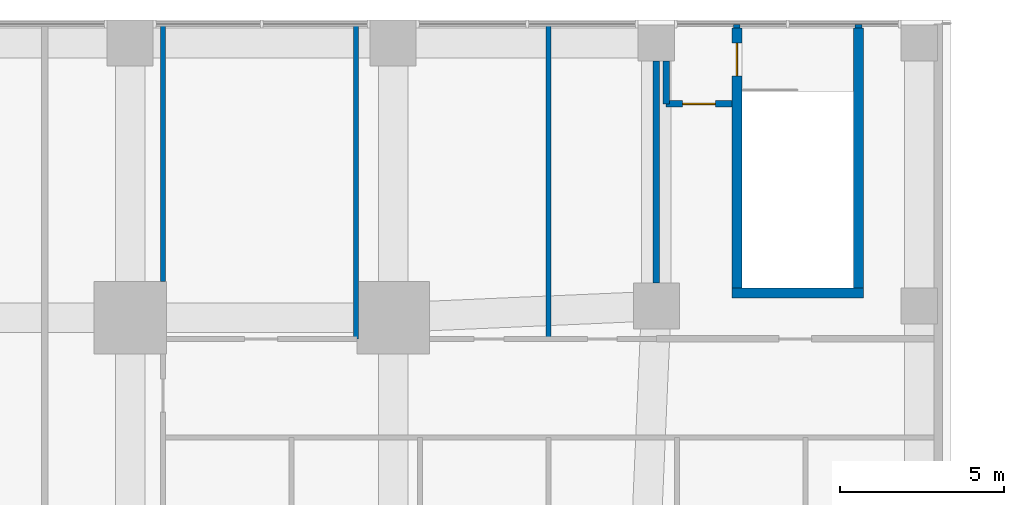
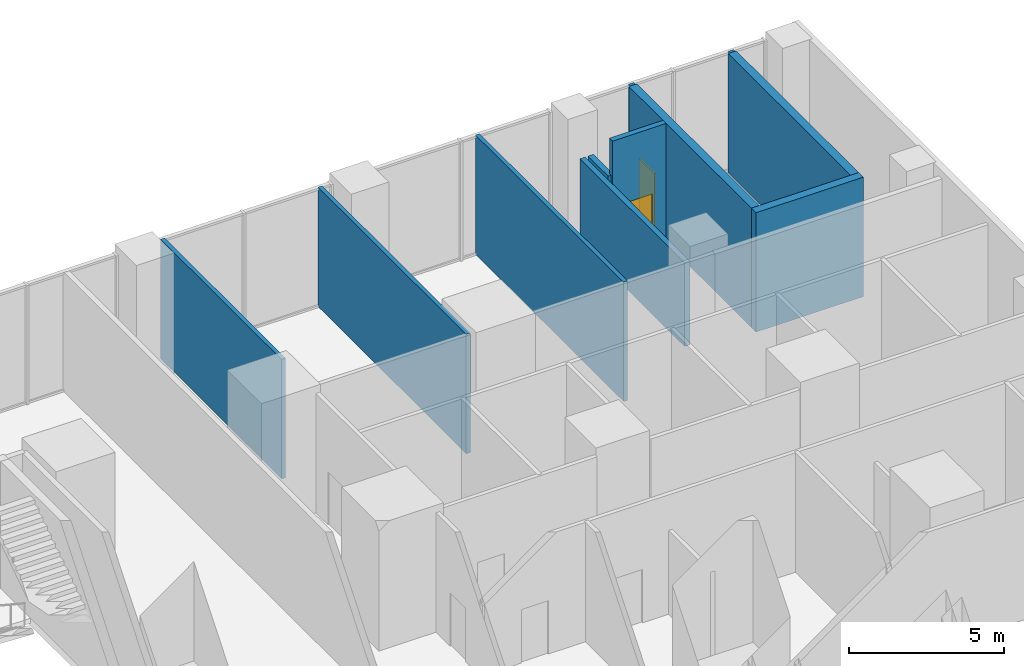
# One storey, part 14 of 19: 11 walls, 2 doors, 2 openings.
"""IFC4 building model written with IfcOpenShell, lengths in metres."""

from ifc_helpers import new_model, si_unit, direction, frame, frame_2d, origin, place, context, subcontext, project, spatial, rectangle, extrude, material, layer, layer_set, type_object, element, fill, save


model = new_model("IFC4")

# Units and contexts
model_context = context("Model", 3, precision=1e-05, world=origin(), true_north=direction((0.0, 1.0)))
body_context = subcontext(model_context, "Body", "Model", "MODEL_VIEW")
ifc_project = project(units=[si_unit("LENGTHUNIT", "METRE"), si_unit("AREAUNIT", "SQUARE_METRE"), si_unit("VOLUMEUNIT", "CUBIC_METRE"), si_unit("PLANEANGLEUNIT", "RADIAN"), si_unit("MASSUNIT", "GRAM", prefix="KILO")], contexts=[model_context])

# Site, building, storey
site_placement = place(None, origin())
site = spatial("IfcSite", under=ifc_project, at=site_placement, CompositionType="ELEMENT")
building_placement = place(site_placement, origin())
building = spatial("IfcBuilding", under=site, at=building_placement, Name="Cleftline Residences", CompositionType="ELEMENT")
storey_placement = place(building_placement, frame((0.0, 0.0, 11.0)))
storey = spatial("IfcBuildingStorey", under=building, at=storey_placement, Name="L02", CompositionType="ELEMENT", Elevation=11.0)

# Wall, opening, door
ifc_material_1 = material(Name="Concrete blockwork, fire rated", Category="masonry")
ifc_layer_1 = layer(ifc_material_1, 0.199951171875)
ifc_layer_set_1 = layer_set([ifc_layer_1], Name="FIRE WALL 200")
wall_type_1 = type_object("IfcWallType", Name="FIRE WALL 200", PredefinedType="PARTITIONING", material=ifc_layer_set_1)
wall_1_placement = place(storey_placement, frame((66.300048828125, 54.14990234375, 0.0), z_axis=(0.0, 0.0, 1.0), x_axis=(1.0, 0.0, 0.0)))
wall_1 = element("IfcWall", 1, at=wall_1_placement, inside=storey, type_object=wall_type_1, Name="Fire separating wall", PredefinedType="PARTITIONING", context=body_context, shape_type="SweptSolid", body=[
    extrude(rectangle(XDim=2.0, YDim=0.199951171875, at=frame_2d((1.0, 0.0))), origin(), (0.0, 0.0, 1.0), 4.699951171875),
])
opening_1_placement = place(wall_1_placement, frame((0.5, 0.0, 0.0)))
opening_1 = element("IfcOpeningElement", 2, at=opening_1_placement, cuts=wall_1, Name="Opening D2F60", PredefinedType="OPENING", context=body_context, shape_type="SweptSolid", body=[
    extrude(rectangle(XDim=1.0, YDim=2.10009765625, at=frame_2d((0.5, 1.050048828125))), frame((0.0, 0.10986328125, 0.0), z_axis=(0.0, -1.0, 0.0), x_axis=(1.0, 0.0, 0.0)), (0.0, 0.0, 1.0), 0.219970703125),
])
ifc_material_2 = material(Name="Timber veneer on solid core", Category="wood")
door_type_1 = type_object("IfcDoorType", Name="DOOR 1000X2100 EI 60", OperationType="SINGLE_SWING_LEFT", PredefinedType="DOOR", material=ifc_material_2)
door_1_placement = place(opening_1_placement, origin())
door_1 = element("IfcDoor", 3, at=door_1_placement, inside=storey, type_object=door_type_1, Name="Door to stair ps-e lobby", OperationType="SINGLE_SWING_LEFT", OverallHeight=2.10009765625, OverallWidth=1.0, PredefinedType="DOOR", context=body_context, shape_type="SweptSolid", body=[
    extrude(rectangle(XDim=1.0, YDim=2.10009765625, at=frame_2d((0.5, 1.050048828125))), frame((0.0, 0.02490234375, 0.0), z_axis=(0.0, -1.0, 0.0), x_axis=(1.0, 0.0, 0.0)), (0.0, 0.0, 1.0), 0.050048828125),
])
fill(opening_1, door_1)

# Walls
wall_2_placement = place(storey_placement, frame((66.0, 48.699951171875, 0.0), z_axis=(0.0, 0.0, 1.0), x_axis=(0.0, 1.0, 0.0)))
element("IfcWall", 4, at=wall_2_placement, inside=storey, type_object=wall_type_1, Name="Fire separating wall", PredefinedType="PARTITIONING", context=body_context, shape_type="SweptSolid", body=[
    extrude(rectangle(XDim=6.75, YDim=0.199951171875, at=frame_2d((3.375, 0.0))), origin(), (0.0, 0.0, 1.0), 3.300048828125),
])
wall_3_placement = place(storey_placement, frame((66.300048828125, 54.14990234375, 0.0), z_axis=(0.0, 0.0, 1.0), x_axis=(0.0, 1.0, 0.0)))
element("IfcWall", 5, at=wall_3_placement, inside=storey, type_object=wall_type_1, Name="Fire separating wall", PredefinedType="PARTITIONING", context=body_context, shape_type="SweptSolid", body=[
    extrude(rectangle(XDim=1.300048828125, YDim=0.199951171875, at=frame_2d((0.64990234375, 0.0))), origin(), (0.0, 0.0, 1.0), 3.300048828125),
])
for number, where, z_axis, x_axis, name in (
    (6, (68.449951171875, 56.449951171875, 0.0), (0.0, 0.0, 1.0), (0.0, 1.0, 0.0), "Fire separating wall"),
    (7, (72.14990234375, 56.449951171875, 0.0), (0.0, 0.0, 1.0), (0.0, 1.0, 0.0), "Fire separating wall"),
):
    element("IfcWall", number, at=place(storey_placement, frame(where, z_axis=z_axis, x_axis=x_axis)), inside=storey, type_object=wall_type_1, Name=name, PredefinedType="PARTITIONING", context=body_context, shape_type="SweptSolid", body=[
        extrude(rectangle(XDim=0.111083984375, YDim=0.199951171875, at=frame_2d((0.0556640625, 0.0))), origin(), (0.0, 0.0, 1.0), 4.699951171875),
    ])
ifc_material_3 = material(Name="Gypsum board on steel studs", Category="steel")
ifc_layer_2 = layer(ifc_material_3, 0.14990234375)
ifc_layer_set_2 = layer_set([ifc_layer_2], Name="PARTITION 150")
wall_type_2 = type_object("IfcWallType", Name="PARTITION 150", PredefinedType="PARTITIONING", material=ifc_layer_set_2)
wall_4_placement = place(storey_placement, frame((51.0, 48.75, 0.0), z_axis=(0.0, 0.0, 1.0), x_axis=(0.0, 1.0, 0.0)))
element("IfcWall", 8, at=wall_4_placement, inside=storey, type_object=wall_type_2, Name="Partition", PredefinedType="PARTITIONING", context=body_context, shape_type="SweptSolid", body=[
    extrude(rectangle(XDim=7.81103515625, YDim=0.14990234375, at=frame_2d((3.905517578125, 0.0))), origin(), (0.0, 0.0, 1.0), 4.699951171875),
])
for number, where, z_axis, x_axis, name in (
    (9, (56.862060546875, 47.0, 0.0), (0.0, 0.0, 1.0), (0.0, 1.0, 0.0), "Partition"),
    (10, (62.72509765625, 47.0, 0.0), (0.0, 0.0, 1.0), (0.0, 1.0, 0.0), "Partition"),
):
    element("IfcWall", number, at=place(storey_placement, frame(where, z_axis=z_axis, x_axis=x_axis)), inside=storey, type_object=wall_type_2, Name=name, PredefinedType="PARTITIONING", context=body_context, shape_type="SweptSolid", body=[
        extrude(rectangle(XDim=9.56103515625, YDim=0.14990234375, at=frame_2d((4.780517578125, 0.0))), origin(), (0.0, 0.0, 1.0), 4.699951171875),
    ])
ifc_material_4 = material(Name="Concrete blockwork, fire rated", Category="masonry")
ifc_layer_3 = layer(ifc_material_4, 0.300048828125)
ifc_layer_set_3 = layer_set([ifc_layer_3], Name="STAIR ENCLOSURE WALL 300")
wall_type_3 = type_object("IfcWallType", Name="STAIR ENCLOSURE WALL 300", PredefinedType="PARTITIONING", material=ifc_layer_set_3)
wall_5_placement = place(storey_placement, frame((68.300048828125, 48.39990234375, 0.0), z_axis=(0.0, 0.0, 1.0), x_axis=(1.0, 0.0, 0.0)))
element("IfcWall", 11, at=wall_5_placement, inside=storey, type_object=wall_type_3, Name="Stair PS-E enclosure", PredefinedType="PARTITIONING", context=body_context, shape_type="SweptSolid", body=[
    extrude(rectangle(XDim=4.0, YDim=0.300048828125, at=frame_2d((2.0, 0.0))), origin(), (0.0, 0.0, 1.0), 4.699951171875),
])

# Wall, opening, door
wall_6_placement = place(storey_placement, frame((68.449951171875, 48.550048828125, 0.0), z_axis=(0.0, 0.0, 1.0), x_axis=(0.0, 1.0, 0.0)))
wall_6 = element("IfcWall", 12, at=wall_6_placement, inside=storey, type_object=wall_type_3, Name="Stair PS-E enclosure", PredefinedType="PARTITIONING", context=body_context, shape_type="SweptSolid", body=[
    extrude(rectangle(XDim=7.89990234375, YDim=0.300048828125, at=frame_2d((3.949951171875, 0.0))), origin(), (0.0, 0.0, 1.0), 4.699951171875),
])
opening_2_placement = place(wall_6_placement, frame((6.449951171875, 0.0, 0.0)))
opening_2 = element("IfcOpeningElement", 13, at=opening_2_placement, cuts=wall_6, Name="Opening D5", PredefinedType="OPENING", context=body_context, shape_type="SweptSolid", body=[
    extrude(rectangle(XDim=1.0, YDim=2.10009765625, at=frame_2d((0.5, 1.050048828125))), frame((0.0, 0.159912109375, 0.0), z_axis=(0.0, -1.0, 0.0), x_axis=(1.0, 0.0, 0.0)), (0.0, 0.0, 1.0), 0.320068359375),
])
ifc_material_5 = material(Name="Steel", Category="steel")
door_type_2 = type_object("IfcDoorType", Name="STAIR DOOR 1000X2100", OperationType="SINGLE_SWING_LEFT", PredefinedType="DOOR", material=ifc_material_5)
door_2_placement = place(opening_2_placement, origin())
door_2 = element("IfcDoor", 14, at=door_2_placement, inside=storey, type_object=door_type_2, Name="Stair PS-E door", OperationType="SINGLE_SWING_LEFT", OverallHeight=2.10009765625, OverallWidth=1.0, PredefinedType="DOOR", context=body_context, shape_type="SweptSolid", body=[
    extrude(rectangle(XDim=1.0, YDim=2.10009765625, at=frame_2d((0.5, 1.050048828125))), frame((0.0, 0.02490234375, 0.0), z_axis=(0.0, -1.0, 0.0), x_axis=(1.0, 0.0, 0.0)), (0.0, 0.0, 1.0), 0.050048828125),
])
fill(opening_2, door_2)

# Wall
wall_7_placement = place(storey_placement, frame((72.14990234375, 48.550048828125, 0.0), z_axis=(0.0, 0.0, 1.0), x_axis=(0.0, 1.0, 0.0)))
element("IfcWall", 15, at=wall_7_placement, inside=storey, type_object=wall_type_3, Name="Stair PS-E enclosure", PredefinedType="PARTITIONING", context=body_context, shape_type="SweptSolid", body=[
    extrude(rectangle(XDim=7.89990234375, YDim=0.300048828125, at=frame_2d((3.949951171875, 0.0))), origin(), (0.0, 0.0, 1.0), 4.699951171875),
])

save(model, "model.ifc")
